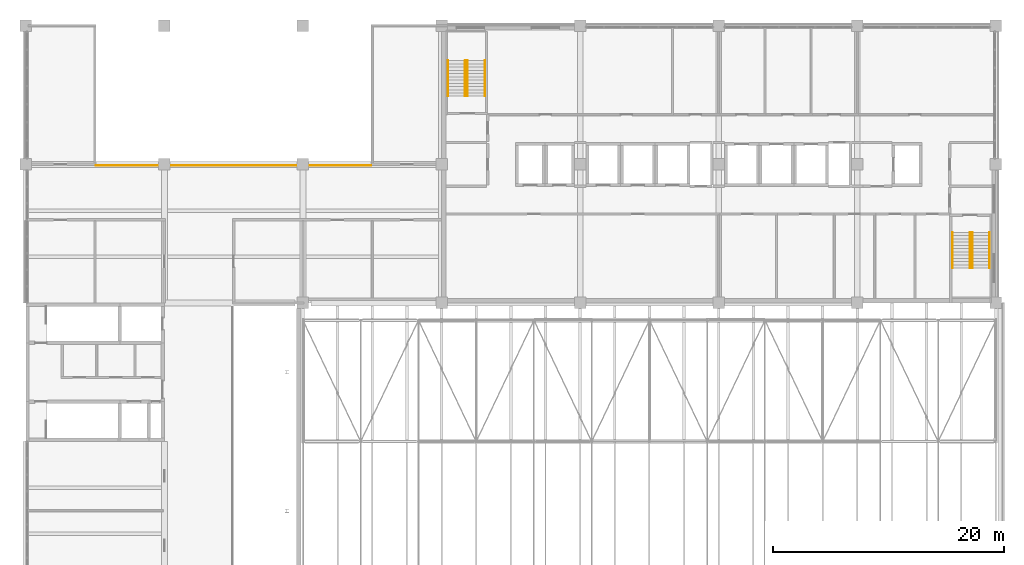
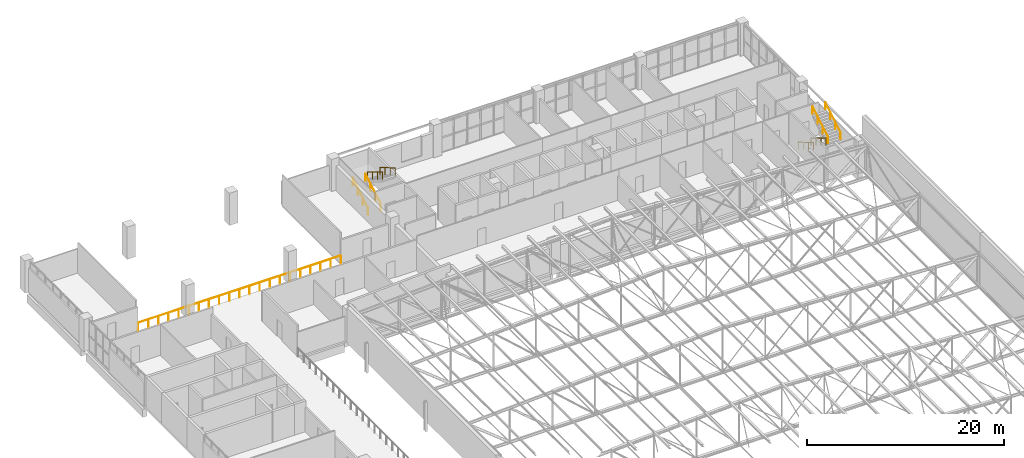
# One storey, part 156 of 156: 9 railings.
"""IFC4 building model written with IfcOpenShell, lengths in metres."""

import ifcopenshell
import ifcopenshell.guid

model = None  # the IFC model being written
_history = None  # IfcOwnerHistory: only IFC2X3 demands one
_inside = {}  # id of a spatial element -> (the spatial element, [elements in it])
_under = {}  # id of a project, library or spatial element -> (it, [spatial elements below it])
_declared = {}  # id of a project -> (the project, [libraries it declares])
_typed = {}  # id of a type object -> (the type object, [elements of that type])
_made_of = {}  # id of a material, layer set ... -> (it, [elements and type objects made of it])


def new_model(schema):
    """Start an empty IFC model of exactly this schema.

    Asked for "IFC4X3", IfcOpenShell would pick the latest addendum, in which some entities
    have other attributes; the version numbers below select the first issue.
    IFC2X3 requires an IfcOwnerHistory on every rooted entity: one is made here for all.
    """
    global model, _history
    if schema == "IFC4X3":
        model = ifcopenshell.file(schema_version=(4, 3, 0, 0))
    else:
        model = ifcopenshell.file(schema=schema)
    _inside.clear()
    _under.clear()
    _declared.clear()
    _typed.clear()
    _made_of.clear()
    _history = None
    if model.schema == "IFC2X3":
        org = make("IfcOrganization", Name="unknown")
        user = make(
            "IfcPersonAndOrganization",
            ThePerson=make("IfcPerson", FamilyName="unknown"),
            TheOrganization=org,
        )
        app = make(
            "IfcApplication",
            ApplicationDeveloper=org,
            Version="unknown",
            ApplicationFullName="unknown",
            ApplicationIdentifier="unknown",
        )
        _history = make(
            "IfcOwnerHistory",
            OwningUser=user,
            OwningApplication=app,
            ChangeAction="ADDED",
            CreationDate=0,
        )
    return model


def make(cls, **values):
    """One entity of the class cls with the attributes given. An attribute that is None is left unset."""
    return model.create_entity(
        cls, **{name: value for name, value in values.items() if value is not None}
    )


def rooted(cls, **values):
    """An entity with a GlobalId (a new one), such as an element, a storey or a relation."""
    return make(cls, GlobalId=ifcopenshell.guid.new(), OwnerHistory=_history, **values)


def si_unit(unit_type, name, prefix=None):
    """IfcSIUnit, for example si_unit("LENGTHUNIT", "METRE", prefix="MILLI")."""
    return make("IfcSIUnit", UnitType=unit_type, Prefix=prefix, Name=name)


def assignment(units):
    """IfcUnitAssignment: the units of a project."""
    return None if units is None else make("IfcUnitAssignment", Units=units)


def point(xyz):
    """IfcCartesianPoint."""
    return None if xyz is None else make("IfcCartesianPoint", Coordinates=xyz)


def direction(xyz):
    """IfcDirection."""
    return None if xyz is None else make("IfcDirection", DirectionRatios=xyz)


def frame(location, z_axis=None, x_axis=None):
    """IfcAxis2Placement3D, a coordinate frame: its origin and axes. An axis left out is left unset."""
    return make(
        "IfcAxis2Placement3D",
        Location=point(location),
        Axis=direction(z_axis),
        RefDirection=direction(x_axis),
    )


def frame_2d(location, x_axis=None):
    """IfcAxis2Placement2D, a coordinate frame in the plane: its origin and x axis."""
    return make(
        "IfcAxis2Placement2D", Location=point(location), RefDirection=direction(x_axis)
    )


def origin():
    """The frame at (0, 0, 0) with its axes left unset."""
    return frame((0.0, 0.0, 0.0))


def origin_2d():
    """The frame at (0, 0) in the plane with its x axis left unset."""
    return frame_2d((0.0, 0.0))


def place(relative_to, where):
    """IfcLocalPlacement: puts the frame where relative to a parent placement (None: the world)."""
    return make(
        "IfcLocalPlacement", PlacementRelTo=relative_to, RelativePlacement=where
    )


def context(
    kind, dimensions, precision=None, world=None, true_north=None, identifier=None
):
    """IfcGeometricRepresentationContext, for example the 3D "Model" context."""
    return make(
        "IfcGeometricRepresentationContext",
        ContextIdentifier=identifier,
        ContextType=kind,
        CoordinateSpaceDimension=dimensions,
        Precision=precision,
        WorldCoordinateSystem=world,
        TrueNorth=true_north,
    )


def subcontext(parent, identifier, kind, view, scale=None):
    """IfcGeometricRepresentationSubContext, for example "Body" below "Model"."""
    return make(
        "IfcGeometricRepresentationSubContext",
        ContextIdentifier=identifier,
        ContextType=kind,
        ParentContext=parent,
        TargetScale=scale,
        TargetView=view,
    )


def project(units=None, contexts=None):
    """IfcProject with its units and contexts."""
    return rooted(
        "IfcProject",
        Name="project",
        RepresentationContexts=contexts,
        UnitsInContext=assignment(units),
    )


def spatial(cls, under=None, at=None, **own):
    """A site, building, storey or space (cls), placed at a placement, below another one or the project."""
    s = rooted(cls, ObjectPlacement=at, **own)
    if under is not None:
        _under.setdefault(under.id(), (under, []))[1].append(s)
    return s


def profile(cls, at=None, kind="AREA", **sizes):
    """A parametric profile (cls). Its sizes go by their IFC names, for example OverallWidth=200.0."""
    return make(cls, ProfileType=kind, Position=at, **sizes)


def circle(**sizes):
    """IfcCircleProfileDef."""
    return profile("IfcCircleProfileDef", **sizes)


def extrude(swept, where, along, depth):
    """IfcExtrudedAreaSolid: the profile swept, set in the frame where, extruded along a direction by depth."""
    return make(
        "IfcExtrudedAreaSolid",
        SweptArea=swept,
        Position=where,
        ExtrudedDirection=direction(along),
        Depth=depth,
    )


def shape(context_of_items, identifier, shape_type, items):
    """IfcShapeRepresentation: the items that make up one representation, for example the "Body"."""
    return make(
        "IfcShapeRepresentation",
        ContextOfItems=context_of_items,
        RepresentationIdentifier=identifier,
        RepresentationType=shape_type,
        Items=items,
    )


def material(Name=None, Category=None):
    """IfcMaterial."""
    return make("IfcMaterial", Name=Name, Category=Category)


def constituent(of_material, Name=None, Category=None, fraction=None):
    """IfcMaterialConstituent: one of the materials an element consists of."""
    return make(
        "IfcMaterialConstituent",
        Name=Name,
        Material=of_material,
        Fraction=fraction,
        Category=Category,
    )


def constituent_set(constituents=None, Name=None):
    """IfcMaterialConstituentSet."""
    return make(
        "IfcMaterialConstituentSet", Name=Name, MaterialConstituents=constituents
    )


def made_of(thing, what):
    """Note that an element or type object is made of a material, layer set ...; save() writes the relation."""
    if what is not None:
        _made_of.setdefault(what.id(), (what, []))[1].append(thing)
    return thing


def type_object(cls, material=None, **own):
    """A type object (cls), such as IfcWallType, which elements share."""
    return made_of(rooted(cls, **own), material)


def element(
    cls,
    number,
    at=None,
    inside=None,
    cuts=None,
    type_object=None,
    material=None,
    context=None,
    identifier="Body",
    shape_type=None,
    held_by="IfcProductDefinitionShape",
    body=None,
    shapes=None,
    **own,
):
    """One element of the class cls, such as IfcWall. Its Tag is "e" and its number.

    at: its placement. inside: the storey or other place that contains it. cuts: it is an
    opening in that element (IfcRelVoidsElement). A single representation is given by context,
    identifier, shape_type and body (its items); several are given by shapes. held_by: the class
    of the entity that holds the representations. save() writes the other relations.
    """
    e = rooted(cls, Tag="e%d" % number, ObjectPlacement=at, **own)
    if body is not None:
        shapes = [shape(context, identifier, shape_type, body)]
    if shapes is not None:
        e.Representation = make(held_by, Representations=shapes)
    if inside is not None:
        _inside.setdefault(inside.id(), (inside, []))[1].append(e)
    if cuts is not None:
        rooted(
            "IfcRelVoidsElement", RelatingBuildingElement=cuts, RelatedOpeningElement=e
        )
    if type_object is not None:
        _typed.setdefault(type_object.id(), (type_object, []))[1].append(e)
    return made_of(e, material)


def aggregate(whole, parts):
    """IfcRelAggregates: a whole, such as a stair, and the parts it consists of."""
    return rooted("IfcRelAggregates", RelatingObject=whole, RelatedObjects=parts)


def save(model, path):
    """Write the relations noted so far, then the file.

    IfcRelAggregates (storeys below a building ...), IfcRelContainedInSpatialStructure (elements
    in a storey), IfcRelDefinesByType, IfcRelAssociatesMaterial and IfcRelDeclares: one each for
    every whole, place, type object, material and project.
    """
    for whole, parts in _under.values():
        aggregate(whole, parts)
    for where, things in _inside.values():
        rooted(
            "IfcRelContainedInSpatialStructure",
            RelatedElements=things,
            RelatingStructure=where,
        )
    for kind, things in _typed.values():
        rooted("IfcRelDefinesByType", RelatedObjects=things, RelatingType=kind)
    for what, things in _made_of.values():
        rooted("IfcRelAssociatesMaterial", RelatedObjects=things, RelatingMaterial=what)
    for by, libraries in _declared.values():
        rooted("IfcRelDeclares", RelatingContext=by, RelatedDefinitions=libraries)
    model.write(path)


model = new_model("IFC4")

# Units and contexts
model_context = context("Model", 3, precision=1e-05, world=origin(), true_north=direction((0.0, 1.0)))
body_context = subcontext(model_context, "Body", "Model", "MODEL_VIEW")
ifc_project = project(units=[si_unit("LENGTHUNIT", "METRE"), si_unit("AREAUNIT", "SQUARE_METRE"), si_unit("VOLUMEUNIT", "CUBIC_METRE"), si_unit("PLANEANGLEUNIT", "RADIAN"), si_unit("MASSUNIT", "GRAM", prefix="KILO")], contexts=[model_context])

# Site, building, storey
site_placement = place(None, origin())
site = spatial("IfcSite", under=ifc_project, at=site_placement, CompositionType="ELEMENT")
building_placement = place(site_placement, origin())
building = spatial("IfcBuilding", under=site, at=building_placement, Name="Lilac Gate Convention Centre", CompositionType="ELEMENT")
storey_placement = place(building_placement, frame((0.0, 0.0, 17.0)))
storey = spatial("IfcBuildingStorey", under=building, at=storey_placement, Name="L03", CompositionType="ELEMENT", Elevation=17.0)

# Railings
ifc_material_1 = material(Name="Steel Q235B", Category="steel")
ifc_constituent_1 = constituent(ifc_material_1, Name="Frame")
ifc_material_2 = material(Name="Safety glass, bonded interlayer", Category="glass")
ifc_constituent_2 = constituent(ifc_material_2, Name="Infill")
ifc_constituent_set = constituent_set(constituents=[ifc_constituent_1, ifc_constituent_2], Name="Steel Q235B, Safety glass, bonded interlayer")
railing_type_1 = type_object("IfcRailingType", Name="Guard 1100 steel and glass", PredefinedType="GUARDRAIL", material=ifc_constituent_set)
railing_placement = place(storey_placement, frame((12.10009765625, 233.89990234375, 0.0)))
element("IfcRailing", 1, at=railing_placement, inside=storey, type_object=railing_type_1, Name="Gallery guard L03", PredefinedType="GUARDRAIL", context=body_context, shape_type="SweptSolid", body=[
    extrude(circle(Radius=0.02392578125, at=origin_2d()), frame((0.0, 0.0, 1.076171875), z_axis=(1.0, 0.0, 0.0), x_axis=(0.0, 1.0, 0.0)), (0.0, 0.0, 1.0), 23.7998046875),
    extrude(circle(Radius=0.02099609375, at=origin_2d()), origin(), (0.0, 0.0, 1.0), 1.052001953125),
    extrude(circle(Radius=0.02099609375, at=origin_2d()), frame((1.18994140625, 0.0, 0.0)), (0.0, 0.0, 1.0), 1.052001953125),
    extrude(circle(Radius=0.02099609375, at=origin_2d()), frame((2.3798828125, 0.0, 0.0)), (0.0, 0.0, 1.0), 1.052001953125),
    extrude(circle(Radius=0.02099609375, at=origin_2d()), frame((3.570068359375, 0.0, 0.0)), (0.0, 0.0, 1.0), 1.052001953125),
    extrude(circle(Radius=0.02099609375, at=origin_2d()), frame((4.760009765625, 0.0, 0.0)), (0.0, 0.0, 1.0), 1.052001953125),
    extrude(circle(Radius=0.02099609375, at=origin_2d()), frame((5.949951171875, 0.0, 0.0)), (0.0, 0.0, 1.0), 1.052001953125),
    extrude(circle(Radius=0.02099609375, at=origin_2d()), frame((7.139892578125, 0.0, 0.0)), (0.0, 0.0, 1.0), 1.052001953125),
    extrude(circle(Radius=0.02099609375, at=origin_2d()), frame((8.329833984375, 0.0, 0.0)), (0.0, 0.0, 1.0), 1.052001953125),
    extrude(circle(Radius=0.02099609375, at=origin_2d()), frame((9.52001953125, 0.0, 0.0)), (0.0, 0.0, 1.0), 1.052001953125),
    extrude(circle(Radius=0.02099609375, at=origin_2d()), frame((10.7099609375, 0.0, 0.0)), (0.0, 0.0, 1.0), 1.052001953125),
    extrude(circle(Radius=0.02099609375, at=origin_2d()), frame((11.89990234375, 0.0, 0.0)), (0.0, 0.0, 1.0), 1.052001953125),
    extrude(circle(Radius=0.02099609375, at=origin_2d()), frame((13.08984375, 0.0, 0.0)), (0.0, 0.0, 1.0), 1.052001953125),
    extrude(circle(Radius=0.02099609375, at=origin_2d()), frame((14.27978515625, 0.0, 0.0)), (0.0, 0.0, 1.0), 1.052001953125),
    extrude(circle(Radius=0.02099609375, at=origin_2d()), frame((15.469970703125, 0.0, 0.0)), (0.0, 0.0, 1.0), 1.052001953125),
    extrude(circle(Radius=0.02099609375, at=origin_2d()), frame((16.659912109375, 0.0, 0.0)), (0.0, 0.0, 1.0), 1.052001953125),
    extrude(circle(Radius=0.02099609375, at=origin_2d()), frame((17.849853515625, 0.0, 0.0)), (0.0, 0.0, 1.0), 1.052001953125),
    extrude(circle(Radius=0.02099609375, at=origin_2d()), frame((19.039794921875, 0.0, 0.0)), (0.0, 0.0, 1.0), 1.052001953125),
    extrude(circle(Radius=0.02099609375, at=origin_2d()), frame((20.229736328125, 0.0, 0.0)), (0.0, 0.0, 1.0), 1.052001953125),
    extrude(circle(Radius=0.02099609375, at=origin_2d()), frame((21.419921875, 0.0, 0.0)), (0.0, 0.0, 1.0), 1.052001953125),
    extrude(circle(Radius=0.02099609375, at=origin_2d()), frame((22.60986328125, 0.0, 0.0)), (0.0, 0.0, 1.0), 1.052001953125),
    extrude(circle(Radius=0.02099609375, at=origin_2d()), frame((23.7998046875, 0.0, 0.0)), (0.0, 0.0, 1.0), 1.052001953125),
])
ifc_material_3 = material(Name="Stainless steel 304", Category="steel")
railing_type_2 = type_object("IfcRailingType", Name="Stair handrail", PredefinedType="HANDRAIL", material=ifc_material_3)
for number, where, name in (
    (2, (42.550048828125, 239.89990234375, 0.166748046875), "Handrail NW L03 flight 1"),
    (3, (44.050048828125, 239.89990234375, 0.166748046875), "Handrail NW L03 flight 1"),
):
    element("IfcRailing", number, at=place(storey_placement, frame(where)), inside=storey, type_object=railing_type_2, Name=name, PredefinedType="HANDRAIL", context=body_context, shape_type="SweptSolid", body=[
        extrude(circle(Radius=0.02392578125, at=origin_2d()), frame((0.0, 0.0, 0.8759765625), z_axis=(0.0, 0.859308565015, 0.511457515432), x_axis=(-1.0, 0.0, 0.0)), (0.0, 0.0, 1.0), 3.58447265625),
        extrude(circle(Radius=0.02099609375, at=origin_2d()), origin(), (0.0, 0.0, 1.0), 0.851806640625),
        extrude(circle(Radius=0.02099609375, at=origin_2d()), frame((0.0, 1.026611328125, 0.611083984375)), (0.0, 0.0, 1.0), 0.851806640625),
        extrude(circle(Radius=0.02099609375, at=origin_2d()), frame((0.0, 2.053466796875, 1.22216796875)), (0.0, 0.0, 1.0), 0.851806640625),
        extrude(circle(Radius=0.02099609375, at=origin_2d()), frame((0.0, 3.080078125, 1.833251953125)), (0.0, 0.0, 1.0), 0.851806640625),
    ])
for number, where, name in (
    (4, (45.75, 242.97998046875, 2.166748046875), "Handrail NW L03 flight 2"),
    (5, (44.25, 242.97998046875, 2.166748046875), "Handrail NW L03 flight 2"),
    (6, (87.75, 228.10009765625, 0.166748046875), "Handrail SE L03 flight 1"),
    (7, (86.25, 228.10009765625, 0.166748046875), "Handrail SE L03 flight 1"),
):
    element("IfcRailing", number, at=place(storey_placement, frame(where)), inside=storey, type_object=railing_type_2, Name=name, PredefinedType="HANDRAIL", context=body_context, shape_type="SweptSolid", body=[
        extrude(circle(Radius=0.02392578125, at=origin_2d()), frame((0.0, 0.0, 0.8759765625), z_axis=(0.0, -0.859308565015, 0.511457515432), x_axis=(1.0, 0.0, 0.0)), (0.0, 0.0, 1.0), 3.58447265625),
        extrude(circle(Radius=0.02099609375, at=origin_2d()), origin(), (0.0, 0.0, 1.0), 0.851806640625),
        extrude(circle(Radius=0.02099609375, at=origin_2d()), frame((0.0, -1.026611328125, 0.611083984375)), (0.0, 0.0, 1.0), 0.851806640625),
        extrude(circle(Radius=0.02099609375, at=origin_2d()), frame((0.0, -2.053466796875, 1.22216796875)), (0.0, 0.0, 1.0), 0.851806640625),
        extrude(circle(Radius=0.02099609375, at=origin_2d()), frame((0.0, -3.080078125, 1.833251953125)), (0.0, 0.0, 1.0), 0.851806640625),
    ])
for number, where, name in (
    (8, (87.949951171875, 225.02001953125, 2.166748046875), "Handrail SE L03 flight 2"),
    (9, (89.449951171875, 225.02001953125, 2.166748046875), "Handrail SE L03 flight 2"),
):
    element("IfcRailing", number, at=place(storey_placement, frame(where)), inside=storey, type_object=railing_type_2, Name=name, PredefinedType="HANDRAIL", context=body_context, shape_type="SweptSolid", body=[
        extrude(circle(Radius=0.02392578125, at=origin_2d()), frame((0.0, 0.0, 0.8759765625), z_axis=(0.0, 0.859308565015, 0.511457515432), x_axis=(-1.0, 0.0, 0.0)), (0.0, 0.0, 1.0), 3.58447265625),
        extrude(circle(Radius=0.02099609375, at=origin_2d()), origin(), (0.0, 0.0, 1.0), 0.851806640625),
        extrude(circle(Radius=0.02099609375, at=origin_2d()), frame((0.0, 1.026611328125, 0.611083984375)), (0.0, 0.0, 1.0), 0.851806640625),
        extrude(circle(Radius=0.02099609375, at=origin_2d()), frame((0.0, 2.053466796875, 1.22216796875)), (0.0, 0.0, 1.0), 0.851806640625),
        extrude(circle(Radius=0.02099609375, at=origin_2d()), frame((0.0, 3.080078125, 1.833251953125)), (0.0, 0.0, 1.0), 0.851806640625),
    ])

save(model, "model.ifc")
